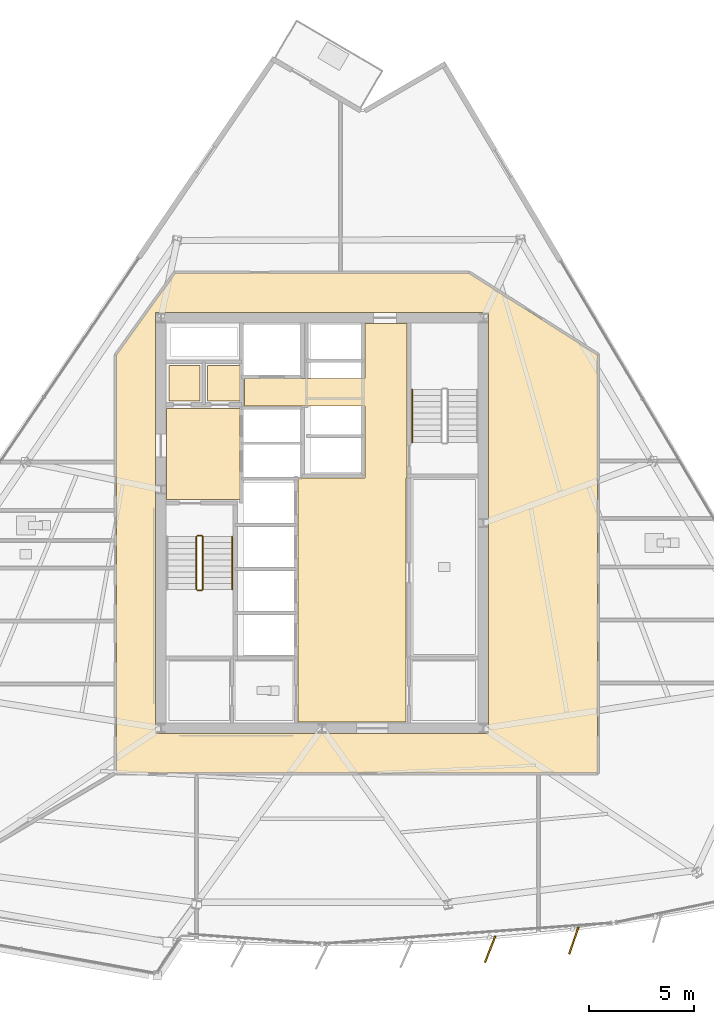
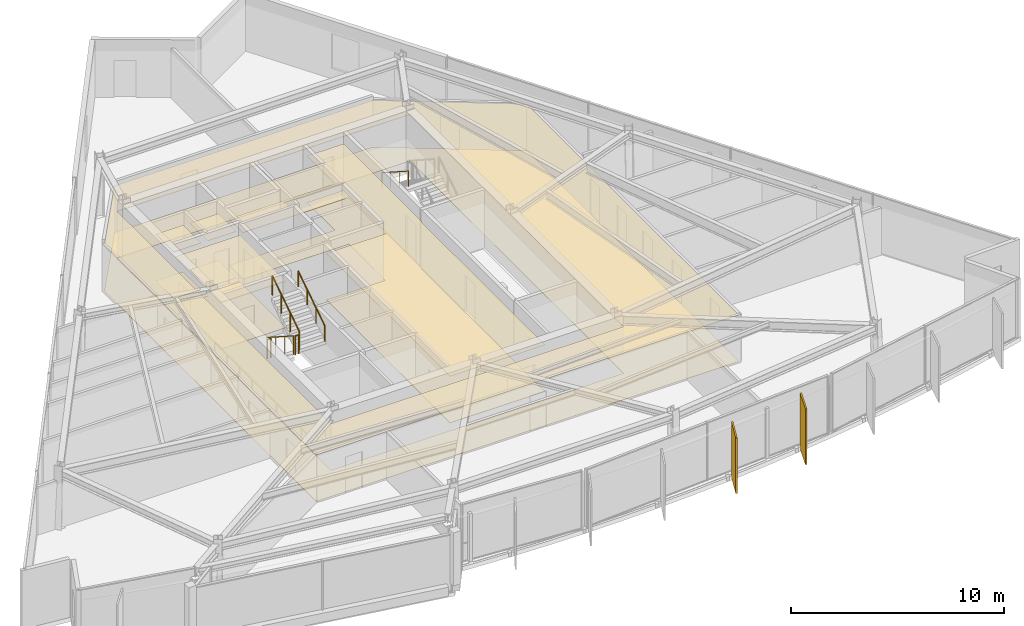
# One storey, part 13 of 16: 10 coverings, 6 railings, 2 shading devices.
"""IFC4 building model written with IfcOpenShell, lengths in metres."""

from ifc_helpers import new_model, si_unit, direction, frame, origin, origin_2d, place, context, subcontext, project, spatial, polyline, rectangle, circle, outline, extrude, material, layer, layer_set, type_object, element, save


model = new_model("IFC4")

# Units and contexts
model_context = context("Model", 3, precision=1e-05, world=origin(), true_north=direction((0.0, 1.0)))
body_context = subcontext(model_context, "Body", "Model", "MODEL_VIEW")
ifc_project = project(units=[si_unit("LENGTHUNIT", "METRE"), si_unit("AREAUNIT", "SQUARE_METRE"), si_unit("VOLUMEUNIT", "CUBIC_METRE"), si_unit("PLANEANGLEUNIT", "RADIAN"), si_unit("MASSUNIT", "GRAM", prefix="KILO")], contexts=[model_context])

# Site, building, storey
site_placement = place(None, origin())
site = spatial("IfcSite", under=ifc_project, at=site_placement, CompositionType="ELEMENT")
building_placement = place(site_placement, origin())
building = spatial("IfcBuilding", under=site, at=building_placement, Name="Savorim Split Tower", CompositionType="ELEMENT")
storey_placement = place(building_placement, frame((0.0, 0.0, 149.39990234375)))
storey = spatial("IfcBuildingStorey", under=building, at=storey_placement, Name="L39", CompositionType="ELEMENT", Elevation=149.39990234375)

# Coverings
ifc_material_1 = material(Name="Mineral Fibre Acoustic Ceiling")
ifc_layer_1 = layer(ifc_material_1, 0.02490234375)
ifc_layer_set_1 = layer_set([ifc_layer_1], Name="COV-CEIL-25")
covering_type_1 = type_object("IfcCoveringType", Name="COV-CEIL-25", PredefinedType="CEILING", material=ifc_layer_set_1)
covering_1_placement = place(storey_placement, frame((0.0, 0.0, 2.670166015625)))
element("IfcCovering", 1, at=covering_1_placement, inside=storey, type_object=covering_type_1, Name="L39 Firefighting Lift Lobby Acoustic Ceiling", PredefinedType="CEILING", context=body_context, shape_type="SweptSolid", body=[
    extrude(outline(polyline([(-7.429931640625, 5.8701171875), (-7.429931640625, 1.530029296875), (-3.929931640625, 1.530029296875), (-3.929931640625, 5.8701171875), (-7.429931640625, 5.8701171875)])), origin(), (0.0, 0.0, 1.0), 0.02490234375),
])
covering_2_placement = place(storey_placement, frame((0.0, 0.0, 2.670166015625)))
element("IfcCovering", 2, at=covering_2_placement, inside=storey, type_object=covering_type_1, Name="L39 Electrical Riser Acoustic Ceiling", PredefinedType="CEILING", context=body_context, shape_type="SweptSolid", body=[
    extrude(outline(polyline([(-7.320068359375, 7.919921875), (-7.320068359375, 6.22998046875), (-5.830078125, 6.22998046875), (-5.830078125, 7.919921875), (-7.320068359375, 7.919921875)])), origin(), (0.0, 0.0, 1.0), 0.02490234375),
])
covering_3_placement = place(storey_placement, frame((0.0, 0.0, 2.670166015625)))
element("IfcCovering", 3, at=covering_3_placement, inside=storey, type_object=covering_type_1, Name="L39 Telecom Riser Acoustic Ceiling", PredefinedType="CEILING", context=body_context, shape_type="SweptSolid", body=[
    extrude(outline(polyline([(-5.469970703125, 7.919921875), (-5.469970703125, 6.22998046875), (-3.929931640625, 6.22998046875), (-3.929931640625, 7.919921875), (-5.469970703125, 7.919921875)])), origin(), (0.0, 0.0, 1.0), 0.02490234375),
])
covering_4_placement = place(storey_placement, frame((0.0, 0.0, 2.670166015625)))
element("IfcCovering", 4, at=covering_4_placement, inside=storey, type_object=covering_type_1, Name="L39 Lift Lobby Acoustic Ceiling", PredefinedType="CEILING", context=body_context, shape_type="SweptSolid", body=[
    extrude(outline(polyline([(2.050048828125, 2.550048828125), (-1.14990234375, 2.550048828125), (-1.14990234375, -9.10009765625), (4.0, -9.10009765625), (4.0, 2.550048828125), (4.050048828125, 2.550048828125), (4.050048828125, 5.97998046875), (4.050048828125, 7.300048828125), (4.050048828125, 9.929931640625), (2.050048828125, 9.929931640625), (2.050048828125, 7.300048828125), (-3.699951171875, 7.300048828125), (-3.699951171875, 5.97998046875), (2.050048828125, 5.97998046875), (2.050048828125, 2.550048828125)])), origin(), (0.0, 0.0, 1.0), 0.02490234375),
])
covering_5_placement = place(storey_placement, frame((0.0, 0.0, 2.670166015625)))
element("IfcCovering", 5, at=covering_5_placement, inside=storey, type_object=covering_type_1, Name="L39 Corridor Acoustic Ceiling", PredefinedType="CEILING", context=body_context, shape_type="SweptSolid", body=[
    extrude(outline(polyline([(7.009521484375, 12.3291015625), (7.004638671875, 12.329833984375), (7.0, 12.330078125), (-7.0, 12.330078125), (-7.004638671875, 12.329833984375), (-7.009521484375, 12.3291015625), (-7.013916015625, 12.327880859375), (-7.0185546875, 12.326416015625), (-7.022705078125, 12.324462890625), (-7.027099609375, 12.322021484375), (-7.03076171875, 12.3193359375), (-7.034423828125, 12.31640625), (-7.03759765625, 12.312744140625), (-7.04052734375, 12.30908203125), (-9.820556640625, 8.42919921875), (-9.823486328125, 8.4248046875), (-9.82568359375, 8.420166015625), (-9.82763671875, 8.415283203125), (-9.828857421875, 8.410400390625), (-9.82958984375, 8.4052734375), (-9.830078125, 8.39990234375), (-9.830078125, -11.47998046875), (-9.829833984375, -11.48486328125), (-9.8291015625, -11.48974609375), (-9.827880859375, -11.494384765625), (-9.826171875, -11.4990234375), (-9.82421875, -11.503662109375), (-9.821533203125, -11.5078125), (-9.818603515625, -11.51171875), (-9.8154296875, -11.515380859375), (-9.811767578125, -11.518798828125), (-9.807861328125, -11.521484375), (-9.8037109375, -11.524169921875), (-9.799072265625, -11.526123046875), (-9.79443359375, -11.52783203125), (-9.789794921875, -11.529052734375), (-9.784912109375, -11.52978515625), (-9.780029296875, -11.530029296875), (13.10009765625, -11.530029296875), (13.10498046875, -11.52978515625), (13.10986328125, -11.529052734375), (13.114501953125, -11.52783203125), (13.119140625, -11.526123046875), (13.12353515625, -11.524169921875), (13.127685546875, -11.521484375), (13.131591796875, -11.518798828125), (13.135498046875, -11.515380859375), (13.138671875, -11.51171875), (13.1416015625, -11.5078125), (13.14404296875, -11.503662109375), (13.146240234375, -11.4990234375), (13.147705078125, -11.494384765625), (13.14892578125, -11.48974609375), (13.14990234375, -11.48486328125), (13.14990234375, -11.47998046875), (13.14990234375, 8.39990234375), (13.149658203125, 8.405029296875), (13.14892578125, 8.409912109375), (13.147705078125, 8.414794921875), (13.14599609375, 8.41943359375), (13.143798828125, 8.424072265625), (13.14111328125, 8.42822265625), (13.13818359375, 8.432373046875), (13.134765625, 8.43603515625), (13.130859375, 8.439208984375), (13.126708984375, 8.442138671875), (7.02685546875, 12.322265625), (7.022705078125, 12.324462890625), (7.018310546875, 12.326416015625), (7.013916015625, 12.327880859375), (7.009521484375, 12.3291015625)]), holes=[polyline([(-7.949951171875, 10.449951171875), (-7.949951171875, -9.64990234375), (7.949951171875, -9.64990234375), (7.949951171875, 10.449951171875), (-7.949951171875, 10.449951171875)])]), origin(), (0.0, 0.0, 1.0), 0.02490234375),
])
ifc_material_2 = material(Name="Porcelain Stoneware Flooring", Category="masonry")
ifc_layer_2 = layer(ifc_material_2, 0.02001953125)
ifc_layer_set_2 = layer_set([ifc_layer_2], Name="COV-FLOR-20")
covering_type_2 = type_object("IfcCoveringType", Name="COV-FLOR-20", PredefinedType="FLOORING", material=ifc_layer_set_2)
covering_6_placement = place(storey_placement, origin())
element("IfcCovering", 6, at=covering_6_placement, inside=storey, type_object=covering_type_2, Name="L39 Firefighting Lift Lobby Porcelain Flooring", PredefinedType="FLOORING", context=body_context, shape_type="SweptSolid", body=[
    extrude(outline(polyline([(-7.429931640625, 5.8701171875), (-7.429931640625, 1.530029296875), (-3.929931640625, 1.530029296875), (-3.929931640625, 5.8701171875), (-7.429931640625, 5.8701171875)])), origin(), (0.0, 0.0, 1.0), 0.02001953125),
])
covering_7_placement = place(storey_placement, origin())
element("IfcCovering", 7, at=covering_7_placement, inside=storey, type_object=covering_type_2, Name="L39 Electrical Riser Porcelain Flooring", PredefinedType="FLOORING", context=body_context, shape_type="SweptSolid", body=[
    extrude(outline(polyline([(-7.320068359375, 7.919921875), (-7.320068359375, 6.22998046875), (-5.830078125, 6.22998046875), (-5.830078125, 7.919921875), (-7.320068359375, 7.919921875)])), origin(), (0.0, 0.0, 1.0), 0.02001953125),
])
covering_8_placement = place(storey_placement, origin())
element("IfcCovering", 8, at=covering_8_placement, inside=storey, type_object=covering_type_2, Name="L39 Telecom Riser Porcelain Flooring", PredefinedType="FLOORING", context=body_context, shape_type="SweptSolid", body=[
    extrude(outline(polyline([(-5.469970703125, 7.919921875), (-5.469970703125, 6.22998046875), (-3.929931640625, 6.22998046875), (-3.929931640625, 7.919921875), (-5.469970703125, 7.919921875)])), origin(), (0.0, 0.0, 1.0), 0.02001953125),
])
covering_9_placement = place(storey_placement, origin())
element("IfcCovering", 9, at=covering_9_placement, inside=storey, type_object=covering_type_2, Name="L39 Lift Lobby Porcelain Flooring", PredefinedType="FLOORING", context=body_context, shape_type="SweptSolid", body=[
    extrude(outline(polyline([(2.050048828125, 2.550048828125), (-1.14990234375, 2.550048828125), (-1.14990234375, -9.10009765625), (4.0, -9.10009765625), (4.0, 2.550048828125), (4.050048828125, 2.550048828125), (4.050048828125, 5.97998046875), (4.050048828125, 7.300048828125), (4.050048828125, 9.929931640625), (2.050048828125, 9.929931640625), (2.050048828125, 7.300048828125), (-3.699951171875, 7.300048828125), (-3.699951171875, 5.97998046875), (2.050048828125, 5.97998046875), (2.050048828125, 2.550048828125)])), origin(), (0.0, 0.0, 1.0), 0.02001953125),
])
covering_10_placement = place(storey_placement, origin())
element("IfcCovering", 10, at=covering_10_placement, inside=storey, type_object=covering_type_2, Name="L39 Corridor Porcelain Flooring", PredefinedType="FLOORING", context=body_context, shape_type="SweptSolid", body=[
    extrude(outline(polyline([(7.009521484375, 12.3291015625), (7.004638671875, 12.329833984375), (7.0, 12.330078125), (-7.0, 12.330078125), (-7.004638671875, 12.329833984375), (-7.009521484375, 12.3291015625), (-7.013916015625, 12.327880859375), (-7.0185546875, 12.326416015625), (-7.022705078125, 12.324462890625), (-7.027099609375, 12.322021484375), (-7.03076171875, 12.3193359375), (-7.034423828125, 12.31640625), (-7.03759765625, 12.312744140625), (-7.04052734375, 12.30908203125), (-9.820556640625, 8.42919921875), (-9.823486328125, 8.4248046875), (-9.82568359375, 8.420166015625), (-9.82763671875, 8.415283203125), (-9.828857421875, 8.410400390625), (-9.82958984375, 8.4052734375), (-9.830078125, 8.39990234375), (-9.830078125, -11.47998046875), (-9.829833984375, -11.48486328125), (-9.8291015625, -11.48974609375), (-9.827880859375, -11.494384765625), (-9.826171875, -11.4990234375), (-9.82421875, -11.503662109375), (-9.821533203125, -11.5078125), (-9.818603515625, -11.51171875), (-9.8154296875, -11.515380859375), (-9.811767578125, -11.518798828125), (-9.807861328125, -11.521484375), (-9.8037109375, -11.524169921875), (-9.799072265625, -11.526123046875), (-9.79443359375, -11.52783203125), (-9.789794921875, -11.529052734375), (-9.784912109375, -11.52978515625), (-9.780029296875, -11.530029296875), (13.10009765625, -11.530029296875), (13.10498046875, -11.52978515625), (13.10986328125, -11.529052734375), (13.114501953125, -11.52783203125), (13.119140625, -11.526123046875), (13.12353515625, -11.524169921875), (13.127685546875, -11.521484375), (13.131591796875, -11.518798828125), (13.135498046875, -11.515380859375), (13.138671875, -11.51171875), (13.1416015625, -11.5078125), (13.14404296875, -11.503662109375), (13.146240234375, -11.4990234375), (13.147705078125, -11.494384765625), (13.14892578125, -11.48974609375), (13.14990234375, -11.48486328125), (13.14990234375, -11.47998046875), (13.14990234375, 8.39990234375), (13.149658203125, 8.405029296875), (13.14892578125, 8.409912109375), (13.147705078125, 8.414794921875), (13.14599609375, 8.41943359375), (13.143798828125, 8.424072265625), (13.14111328125, 8.42822265625), (13.13818359375, 8.432373046875), (13.134765625, 8.43603515625), (13.130859375, 8.439208984375), (13.126708984375, 8.442138671875), (7.02685546875, 12.322265625), (7.022705078125, 12.324462890625), (7.018310546875, 12.326416015625), (7.013916015625, 12.327880859375), (7.009521484375, 12.3291015625)]), holes=[polyline([(-7.949951171875, 10.449951171875), (-7.949951171875, -9.64990234375), (7.949951171875, -9.64990234375), (7.949951171875, 10.449951171875), (-7.949951171875, 10.449951171875)])]), origin(), (0.0, 0.0, 1.0), 0.02001953125),
])

# Railings
ifc_material_3 = material(Name="Galvanised Painted Steel Balustrade", Category="steel")
railing_type_1 = type_object("IfcRailingType", Name="RLG-HR-900", PredefinedType="HANDRAIL", material=ifc_material_3)
railing_1_placement = place(storey_placement, frame((-4.300048828125, -2.77001953125, 1.97998046875)))
element("IfcRailing", 11, at=railing_1_placement, inside=storey, type_object=railing_type_1, Name="L39 ST-1 stair handrail 2", PredefinedType="HANDRAIL", context=body_context, shape_type="SweptSolid", body=[
    extrude(circle(Radius=0.02392578125, at=origin_2d()), frame((0.0, 0.0, 0.8759765625), z_axis=(0.0, 0.841162588446, 0.540782303519), x_axis=(-1.0, 0.0, 0.0)), (0.0, 0.0, 1.0), 2.995849609375),
    extrude(circle(Radius=0.02099609375, at=origin_2d()), origin(), (0.0, 0.0, 1.0), 0.851806640625),
    extrude(circle(Radius=0.02099609375, at=origin_2d()), frame((0.0, 0.840087890625, 0.5400390625)), (0.0, 0.0, 1.0), 0.851806640625),
    extrude(circle(Radius=0.02099609375, at=origin_2d()), frame((0.0, 1.679931640625, 1.080078125)), (0.0, 0.0, 1.0), 0.851806640625),
    extrude(circle(Radius=0.02099609375, at=origin_2d()), frame((0.0, 2.52001953125, 1.6201171875)), (0.0, 0.0, 1.0), 0.851806640625),
])
railing_2_placement = place(storey_placement, frame((4.300048828125, 6.77001953125, 1.97998046875)))
element("IfcRailing", 12, at=railing_2_placement, inside=storey, type_object=railing_type_1, Name="L39 ST-2 stair handrail 2", PredefinedType="HANDRAIL", context=body_context, shape_type="SweptSolid", body=[
    extrude(circle(Radius=0.02392578125, at=origin_2d()), frame((0.0, 0.0, 0.8759765625), z_axis=(0.0, -0.841162588446, 0.540782303519), x_axis=(1.0, 0.0, 0.0)), (0.0, 0.0, 1.0), 2.995849609375),
    extrude(circle(Radius=0.02099609375, at=origin_2d()), origin(), (0.0, 0.0, 1.0), 0.851806640625),
    extrude(circle(Radius=0.02099609375, at=origin_2d()), frame((0.0, -0.840087890625, 0.5400390625)), (0.0, 0.0, 1.0), 0.851806640625),
    extrude(circle(Radius=0.02099609375, at=origin_2d()), frame((0.0, -1.679931640625, 1.080078125)), (0.0, 0.0, 1.0), 0.851806640625),
    extrude(circle(Radius=0.02099609375, at=origin_2d()), frame((0.0, -2.52001953125, 1.6201171875)), (0.0, 0.0, 1.0), 0.851806640625),
])
railing_type_2 = type_object("IfcRailingType", Name="RLG-STG-1100", PredefinedType="BALUSTRADE", material=ifc_material_3)
railing_3_placement = place(storey_placement, frame((-6.0, -0.25, 0.18017578125)))
element("IfcRailing", 13, at=railing_3_placement, inside=storey, type_object=railing_type_2, Name="L39 ST-1 stair guard 1", PredefinedType="BALUSTRADE", context=body_context, shape_type="SweptSolid", body=[
    extrude(circle(Radius=0.02392578125, at=origin_2d()), frame((0.0, 0.0, 1.076171875), z_axis=(0.0, -0.841199657755, 0.540724639528), x_axis=(1.0, 0.0, 0.0)), (0.0, 0.0, 1.0), 2.995849609375),
    extrude(circle(Radius=0.02099609375, at=origin_2d()), origin(), (0.0, 0.0, 1.0), 1.052001953125),
    extrude(circle(Radius=0.02099609375, at=origin_2d()), frame((0.0, -0.840087890625, 0.5400390625)), (0.0, 0.0, 1.0), 1.052001953125),
    extrude(circle(Radius=0.02099609375, at=origin_2d()), frame((0.0, -1.679931640625, 1.079833984375)), (0.0, 0.0, 1.0), 1.052001953125),
    extrude(circle(Radius=0.02099609375, at=origin_2d()), frame((0.0, -2.52001953125, 1.619873046875)), (0.0, 0.0, 1.0), 1.052001953125),
])
railing_4_placement = place(storey_placement, frame((-5.949951171875, -2.820068359375, 1.800048828125)))
element("IfcRailing", 14, at=railing_4_placement, inside=storey, type_object=railing_type_2, Name="L39 ST-1 stair guard 2", PredefinedType="BALUSTRADE", context=body_context, shape_type="SweptSolid", body=[
    extrude(circle(Radius=0.02392578125, at=origin_2d()), frame((0.0, 0.0, 1.076171875), z_axis=(1.0, 0.0, 0.0), x_axis=(0.0, 1.0, 0.0)), (0.0, 0.0, 1.0), 0.199951171875),
    extrude(circle(Radius=0.02099609375, at=origin_2d()), origin(), (0.0, 0.0, 1.0), 1.052001953125),
    extrude(circle(Radius=0.02099609375, at=origin_2d()), frame((0.199951171875, 0.0, 0.0)), (0.0, 0.0, 1.0), 1.052001953125),
])
railing_5_placement = place(storey_placement, frame((-5.699951171875, -2.77001953125, 1.97998046875)))
element("IfcRailing", 15, at=railing_5_placement, inside=storey, type_object=railing_type_2, Name="L39 ST-1 stair guard 3", PredefinedType="BALUSTRADE", context=body_context, shape_type="SweptSolid", body=[
    extrude(circle(Radius=0.02392578125, at=origin_2d()), frame((0.0, 0.0, 1.076171875), z_axis=(0.0, 0.841162588446, 0.540782303519), x_axis=(-1.0, 0.0, 0.0)), (0.0, 0.0, 1.0), 2.995849609375),
    extrude(circle(Radius=0.02099609375, at=origin_2d()), origin(), (0.0, 0.0, 1.0), 1.052001953125),
    extrude(circle(Radius=0.02099609375, at=origin_2d()), frame((0.0, 0.840087890625, 0.5400390625)), (0.0, 0.0, 1.0), 1.052001953125),
    extrude(circle(Radius=0.02099609375, at=origin_2d()), frame((0.0, 1.679931640625, 1.080078125)), (0.0, 0.0, 1.0), 1.052001953125),
    extrude(circle(Radius=0.02099609375, at=origin_2d()), frame((0.0, 2.52001953125, 1.6201171875)), (0.0, 0.0, 1.0), 1.052001953125),
])
railing_6_placement = place(storey_placement, frame((-5.949951171875, -0.199951171875, 0.0)))
element("IfcRailing", 16, at=railing_6_placement, inside=storey, type_object=railing_type_2, Name="L39 ST-1 stair guard 4", PredefinedType="BALUSTRADE", context=body_context, shape_type="SweptSolid", body=[
    extrude(circle(Radius=0.02392578125, at=origin_2d()), frame((0.0, 0.0, 1.076171875), z_axis=(1.0, 0.0, 0.0), x_axis=(0.0, 1.0, 0.0)), (0.0, 0.0, 1.0), 0.199951171875),
    extrude(circle(Radius=0.02099609375, at=origin_2d()), origin(), (0.0, 0.0, 1.0), 1.052001953125),
    extrude(circle(Radius=0.02099609375, at=origin_2d()), frame((0.199951171875, 0.0, 0.0)), (0.0, 0.0, 1.0), 1.052001953125),
])

# Shading devices
ifc_material_4 = material(Name="Terracotta Ceramic-Coated Aluminium Fin", Category="masonry")
shading_device_type = type_object("IfcShadingDeviceType", Name="SHD-FIN-1360", PredefinedType="USERDEFINED", material=ifc_material_4)
for number, where, z_axis, x_axis, name in (
    (17, (8.0234375, -19.948974609375, -0.19970703125), (0.0, 0.0, 1.0), (-0.363415461732, -0.931627179817, 0.0), "L39 Sawtooth Shading Fin 09"),
    (18, (12.0185546875, -19.538818359375, -0.19970703125), (0.0, 0.0, 1.0), (-0.324993810493, -0.945716143005, 0.0), "L39 Sawtooth Shading Fin 10"),
):
    element("IfcShadingDevice", number, at=place(storey_placement, frame(where, z_axis=z_axis, x_axis=x_axis)), inside=storey, type_object=shading_device_type, Name=name, ObjectType="FIN", PredefinedType="USERDEFINED", context=body_context, shape_type="SweptSolid", body=[
        extrude(rectangle(XDim=1.360107421875, YDim=0.080078125, at=origin_2d()), origin(), (0.0, 0.0, 1.0), 3.199951171875),
    ])

save(model, "model.ifc")
